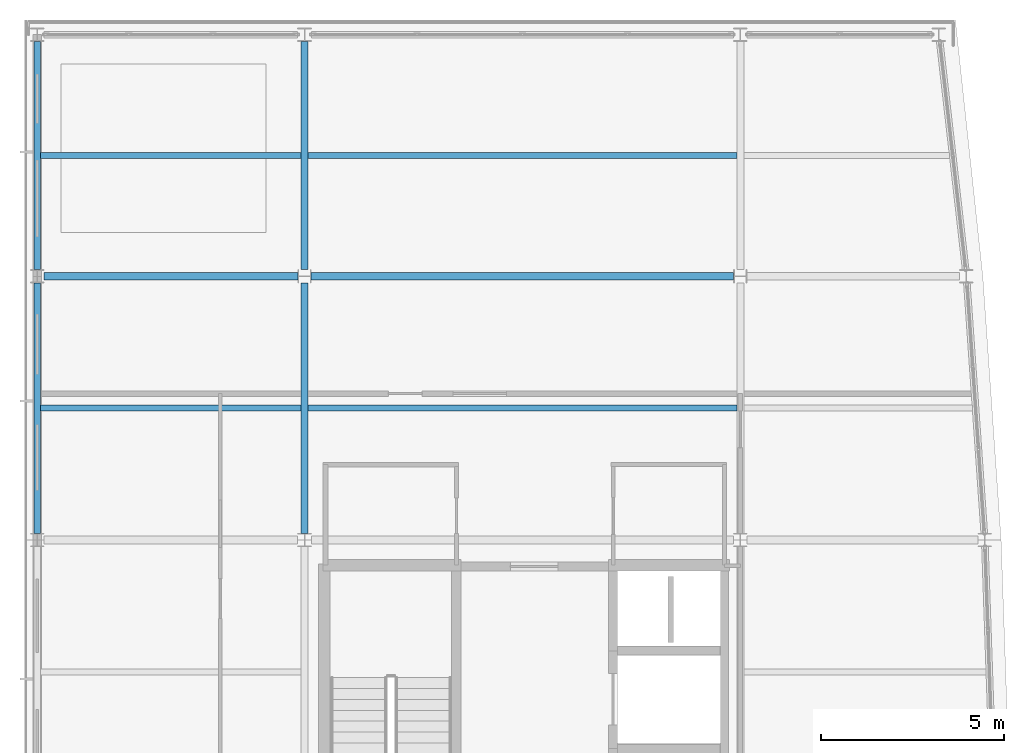
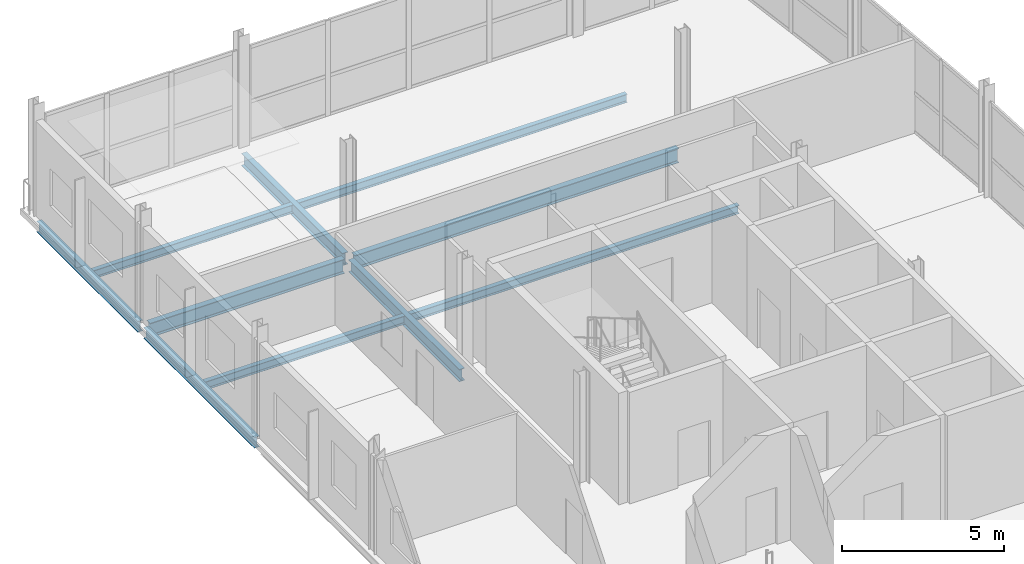
# One storey, part 6 of 16: 10 beams.
"""IFC4 building model written with IfcOpenShell, lengths in metres."""

from ifc_helpers import new_model, si_unit, direction, frame, origin, origin_2d, place, context, subcontext, project, spatial, i_section, extrude, material, material_profile, profile_set, type_object, element, save


model = new_model("IFC4")

# Units and contexts
model_context = context("Model", 3, precision=1e-05, world=origin(), true_north=direction((0.0, 1.0)))
body_context = subcontext(model_context, "Body", "Model", "MODEL_VIEW")
ifc_project = project(units=[si_unit("LENGTHUNIT", "METRE"), si_unit("AREAUNIT", "SQUARE_METRE"), si_unit("VOLUMEUNIT", "CUBIC_METRE"), si_unit("PLANEANGLEUNIT", "RADIAN"), si_unit("MASSUNIT", "GRAM", prefix="KILO")], contexts=[model_context])

# Site, building, storey
site_placement = place(None, origin())
site = spatial("IfcSite", under=ifc_project, at=site_placement, CompositionType="ELEMENT")
building_placement = place(site_placement, origin())
building = spatial("IfcBuilding", under=site, at=building_placement, Name="Quillay Park Conservatory", CompositionType="ELEMENT")
storey_placement = place(building_placement, frame((0.0, 0.0, 39.300048828125)))
storey = spatial("IfcBuildingStorey", under=building, at=storey_placement, Name="L09", CompositionType="ELEMENT", Elevation=39.300048828125)

# Beams
ifc_material_1 = material(Name="Steel ASTM A992 Grade 50", Category="steel")
ifc_material_profile_1 = material_profile(ifc_material_1, i_section(OverallWidth=0.166015625, OverallDepth=0.31298828125, WebThickness=0.006591796875, FlangeThickness=0.01123046875, FilletRadius=0.010009765625, at=origin_2d()), Name="W310x45")
ifc_profile_set_1 = profile_set([ifc_material_profile_1], Name="Steel ASTM A992 Grade 50")
beam_type_1 = type_object("IfcBeamType", Name="COMPOSITE FLOOR JOIST W310 X45", PredefinedType="JOIST", material=ifc_profile_set_1)
beam_1_placement = place(storey_placement, frame((0.639892578125, 103.199951171875, -0.3564453125), z_axis=(1.0, 0.0, 0.0), x_axis=(0.0, 1.0, 0.0)))
element("IfcBeam", 1, at=beam_1_placement, inside=storey, type_object=beam_type_1, Name="L09 beam BM-J-0700", PredefinedType="JOIST", context=body_context, shape_type="SweptSolid", body=[
    extrude(i_section(OverallWidth=0.166015625, OverallDepth=0.31298828125, WebThickness=0.006591796875, FlangeThickness=0.01123046875, FilletRadius=0.010009765625, at=origin_2d()), origin(), (0.0, 0.0, 1.0), 7.114013671875),
])
beam_2_placement = place(storey_placement, frame((7.946044921875, 103.199951171875, -0.3564453125), z_axis=(1.0, 0.0, 0.0), x_axis=(0.0, 1.0, 0.0)))
element("IfcBeam", 2, at=beam_2_placement, inside=storey, type_object=beam_type_1, Name="L09 beam BM-J-0702", PredefinedType="JOIST", context=body_context, shape_type="SweptSolid", body=[
    extrude(i_section(OverallWidth=0.166015625, OverallDepth=0.31298828125, WebThickness=0.006591796875, FlangeThickness=0.01123046875, FilletRadius=0.010009765625, at=origin_2d()), origin(), (0.0, 0.0, 1.0), 11.7080078125),
])
beam_3_placement = place(storey_placement, frame((0.639892578125, 110.10009765625, -0.3564453125), z_axis=(1.0, 0.0, 0.0), x_axis=(0.0, 1.0, 0.0)))
element("IfcBeam", 3, at=beam_3_placement, inside=storey, type_object=beam_type_1, Name="L09 beam BM-J-0707", PredefinedType="JOIST", context=body_context, shape_type="SweptSolid", body=[
    extrude(i_section(OverallWidth=0.166015625, OverallDepth=0.31298828125, WebThickness=0.006591796875, FlangeThickness=0.01123046875, FilletRadius=0.010009765625, at=origin_2d()), origin(), (0.0, 0.0, 1.0), 7.114013671875),
])
beam_4_placement = place(storey_placement, frame((7.946044921875, 110.10009765625, -0.3564453125), z_axis=(1.0, 0.0, 0.0), x_axis=(0.0, 1.0, 0.0)))
element("IfcBeam", 4, at=beam_4_placement, inside=storey, type_object=beam_type_1, Name="L09 beam BM-J-0709", PredefinedType="JOIST", context=body_context, shape_type="SweptSolid", body=[
    extrude(i_section(OverallWidth=0.166015625, OverallDepth=0.31298828125, WebThickness=0.006591796875, FlangeThickness=0.01123046875, FilletRadius=0.010009765625, at=origin_2d()), origin(), (0.0, 0.0, 1.0), 11.7080078125),
])
ifc_material_2 = material(Name="Steel ASTM A992 Grade 50", Category="steel")
ifc_material_profile_2 = material_profile(ifc_material_2, i_section(OverallWidth=0.179931640625, OverallDepth=0.4130859375, WebThickness=0.009765625, FlangeThickness=0.01611328125, FilletRadius=0.011962890625, at=origin_2d()), Name="W410x74")
ifc_profile_set_2 = profile_set([ifc_material_profile_2], Name="Steel ASTM A992 Grade 50")
beam_type_2 = type_object("IfcBeamType", Name="PERIMETER SPANDREL BEAM W410 X74", PredefinedType="SPANDREL", material=ifc_profile_set_2)
beam_5_placement = place(storey_placement, frame((0.550048828125, 99.781982421875, -0.406494140625), z_axis=(0.0, 1.0, 0.0), x_axis=(-1.0, 0.0, 0.0)))
element("IfcBeam", 5, at=beam_5_placement, inside=storey, type_object=beam_type_2, Name="L09 beam BM-SPW-0696", PredefinedType="SPANDREL", context=body_context, shape_type="SweptSolid", body=[
    extrude(i_section(OverallWidth=0.179931640625, OverallDepth=0.4130859375, WebThickness=0.009765625, FlangeThickness=0.01611328125, FilletRadius=0.011962890625, at=origin_2d()), origin(), (0.0, 0.0, 1.0), 6.8359375),
])
beam_6_placement = place(storey_placement, frame((0.550048828125, 106.98193359375, -0.406494140625), z_axis=(0.0, 1.0, 0.0), x_axis=(-1.0, 0.0, 0.0)))
element("IfcBeam", 6, at=beam_6_placement, inside=storey, type_object=beam_type_2, Name="L09 beam BM-SPW-0703", PredefinedType="SPANDREL", context=body_context, shape_type="SweptSolid", body=[
    extrude(i_section(OverallWidth=0.179931640625, OverallDepth=0.4130859375, WebThickness=0.009765625, FlangeThickness=0.01611328125, FilletRadius=0.011962890625, at=origin_2d()), origin(), (0.0, 0.0, 1.0), 6.236083984375),
])
ifc_material_3 = material(Name="Steel ASTM A992 Grade 50", Category="steel")
ifc_material_profile_3 = material_profile(ifc_material_3, i_section(OverallWidth=0.19189453125, OverallDepth=0.462890625, WebThickness=0.010498046875, FlangeThickness=0.017578125, FilletRadius=0.012939453125, at=origin_2d()), Name="W460x89")
ifc_profile_set_3 = profile_set([ifc_material_profile_3], Name="Steel ASTM A992 Grade 50")
beam_type_3 = type_object("IfcBeamType", Name="PRIMARY FLOOR GIRDER W460 X89", PredefinedType="BEAM", material=ifc_profile_set_3)
beam_7_placement = place(storey_placement, frame((7.85009765625, 99.781982421875, -0.431640625), z_axis=(0.0, 1.0, 0.0), x_axis=(-1.0, 0.0, 0.0)))
element("IfcBeam", 7, at=beam_7_placement, inside=storey, type_object=beam_type_3, Name="L09 beam BM-GNS-0698", PredefinedType="BEAM", context=body_context, shape_type="SweptSolid", body=[
    extrude(i_section(OverallWidth=0.19189453125, OverallDepth=0.462890625, WebThickness=0.010498046875, FlangeThickness=0.017578125, FilletRadius=0.012939453125, at=origin_2d()), origin(), (0.0, 0.0, 1.0), 6.83251953125),
])
beam_8_placement = place(storey_placement, frame((7.85009765625, 106.985595703125, -0.431640625), z_axis=(0.0, 1.0, 0.0), x_axis=(-1.0, 0.0, 0.0)))
element("IfcBeam", 8, at=beam_8_placement, inside=storey, type_object=beam_type_3, Name="L09 beam BM-GNS-0705", PredefinedType="BEAM", context=body_context, shape_type="SweptSolid", body=[
    extrude(i_section(OverallWidth=0.19189453125, OverallDepth=0.462890625, WebThickness=0.010498046875, FlangeThickness=0.017578125, FilletRadius=0.012939453125, at=origin_2d()), origin(), (0.0, 0.0, 1.0), 6.232421875),
])
ifc_material_4 = material(Name="Steel ASTM A992 Grade 50", Category="steel")
ifc_material_profile_4 = material_profile(ifc_material_4, i_section(OverallWidth=0.2109375, OverallDepth=0.5390625, WebThickness=0.01171875, FlangeThickness=0.018798828125, FilletRadius=0.013916015625, at=origin_2d()), Name="W530x109")
ifc_profile_set_4 = profile_set([ifc_material_profile_4], Name="Steel ASTM A992 Grade 50")
beam_type_4 = type_object("IfcBeamType", Name="PRIMARY FLOOR GIRDER W530 X109", PredefinedType="BEAM", material=ifc_profile_set_4)
beam_9_placement = place(storey_placement, frame((0.735595703125, 106.800048828125, -0.469482421875), z_axis=(1.0, 0.0, 0.0), x_axis=(0.0, 1.0, 0.0)))
element("IfcBeam", 9, at=beam_9_placement, inside=storey, type_object=beam_type_4, Name="L09 beam BM-G-0665", PredefinedType="BEAM", context=body_context, shape_type="SweptSolid", body=[
    extrude(i_section(OverallWidth=0.2109375, OverallDepth=0.5390625, WebThickness=0.01171875, FlangeThickness=0.018798828125, FilletRadius=0.013916015625, at=origin_2d()), origin(), (0.0, 0.0, 1.0), 6.932373046875),
])
beam_10_placement = place(storey_placement, frame((8.031982421875, 106.800048828125, -0.469482421875), z_axis=(1.0, 0.0, 0.0), x_axis=(0.0, 1.0, 0.0)))
element("IfcBeam", 10, at=beam_10_placement, inside=storey, type_object=beam_type_4, Name="L09 beam BM-G-0666", PredefinedType="BEAM", context=body_context, shape_type="SweptSolid", body=[
    extrude(i_section(OverallWidth=0.2109375, OverallDepth=0.5390625, WebThickness=0.01171875, FlangeThickness=0.018798828125, FilletRadius=0.013916015625, at=origin_2d()), origin(), (0.0, 0.0, 1.0), 11.5361328125),
])

save(model, "model.ifc")
